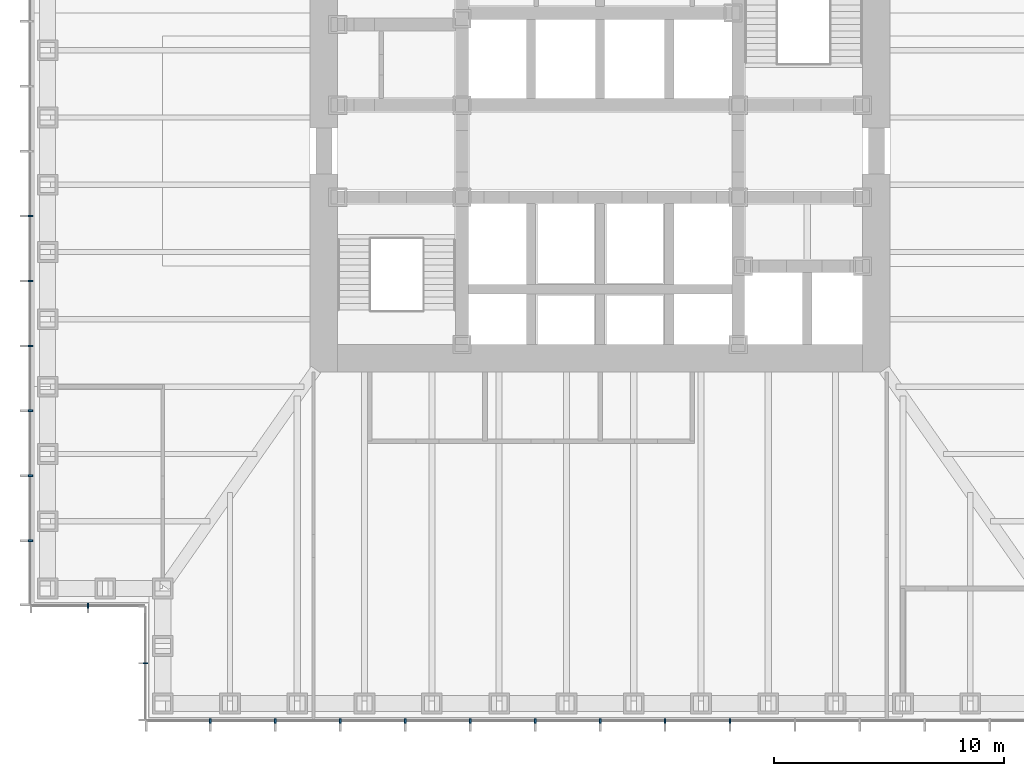
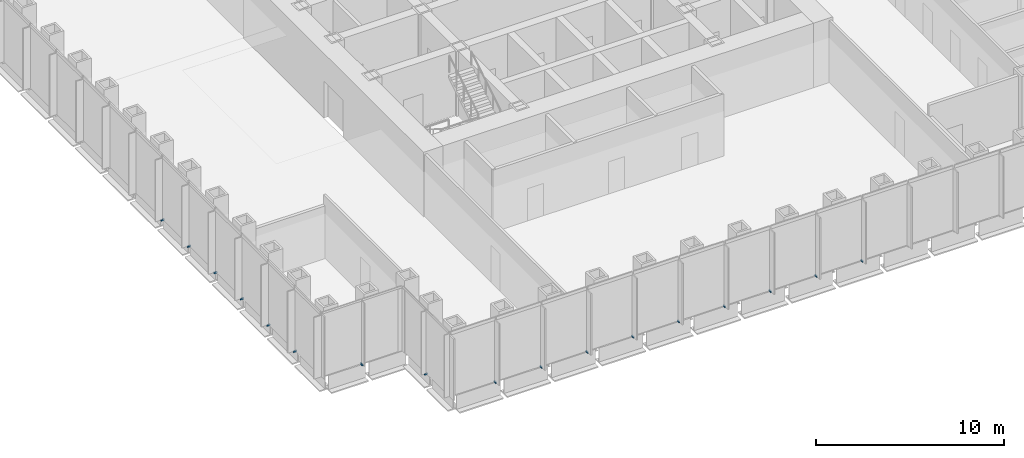
# One storey, part 11 of 16: 17 discrete accessories.
"""IFC4 building model written with IfcOpenShell, lengths in metres."""

from ifc_helpers import new_model, si_unit, direction, frame, origin, origin_2d, place, context, subcontext, project, spatial, rectangle, extrude, element, save


model = new_model("IFC4")

# Units and contexts
model_context = context("Model", 3, precision=1e-05, world=origin(), true_north=direction((0.0, 1.0)))
body_context = subcontext(model_context, "Body", "Model", "MODEL_VIEW")
ifc_project = project(units=[si_unit("LENGTHUNIT", "METRE"), si_unit("AREAUNIT", "SQUARE_METRE"), si_unit("VOLUMEUNIT", "CUBIC_METRE"), si_unit("PLANEANGLEUNIT", "RADIAN"), si_unit("MASSUNIT", "GRAM", prefix="KILO")], contexts=[model_context])

# Site, building, storey
site_placement = place(None, origin())
site = spatial("IfcSite", under=ifc_project, at=site_placement, CompositionType="ELEMENT")
building_placement = place(site_placement, origin())
building = spatial("IfcBuilding", under=site, at=building_placement, Name="Daluyong Arena Tower", CompositionType="ELEMENT")
storey_placement = place(building_placement, frame((0.0, 0.0, 76.89990234375)))
storey = spatial("IfcBuildingStorey", under=building, at=storey_placement, Name="L16", CompositionType="ELEMENT", Elevation=76.89990234375)

# Discrete accessories
for number, where, z_axis, x_axis, name in (
    (1, (39.071533203125, 55.25, -0.099853515625), (0.0, 0.0, 1.0), (1.0, 0.0, 0.0), "curtain wall L16 S anchor bracket 2"),
    (2, (41.892822265625, 55.25, -0.099853515625), (0.0, 0.0, 1.0), (1.0, 0.0, 0.0), "curtain wall L16 S anchor bracket 3"),
    (3, (44.71435546875, 55.25, -0.099853515625), (0.0, 0.0, 1.0), (1.0, 0.0, 0.0), "curtain wall L16 S anchor bracket 4"),
    (4, (47.53564453125, 55.25, -0.099853515625), (0.0, 0.0, 1.0), (1.0, 0.0, 0.0), "curtain wall L16 S anchor bracket 5"),
    (5, (50.357177734375, 55.25, -0.099853515625), (0.0, 0.0, 1.0), (1.0, 0.0, 0.0), "curtain wall L16 S anchor bracket 6"),
    (6, (53.178466796875, 55.25, -0.099853515625), (0.0, 0.0, 1.0), (1.0, 0.0, 0.0), "curtain wall L16 S anchor bracket 7"),
    (7, (56.0, 55.25, -0.099853515625), (0.0, 0.0, 1.0), (1.0, 0.0, 0.0), "curtain wall L16 S anchor bracket 8"),
    (8, (58.821533203125, 55.25, -0.099853515625), (0.0, 0.0, 1.0), (1.0, 0.0, 0.0), "curtain wall L16 S anchor bracket 9"),
    (9, (61.642822265625, 55.25, -0.099853515625), (0.0, 0.0, 1.0), (1.0, 0.0, 0.0), "curtain wall L16 S anchor bracket 10"),
    (10, (31.25, 77.178466796875, -0.099853515625), (0.0, 0.0, 1.0), (0.0, -1.0, 0.0), "curtain wall L16 W anchor bracket 9"),
    (11, (31.25, 74.357177734375, -0.099853515625), (0.0, 0.0, 1.0), (0.0, -1.0, 0.0), "curtain wall L16 W anchor bracket 10"),
    (12, (31.25, 71.53564453125, -0.099853515625), (0.0, 0.0, 1.0), (0.0, -1.0, 0.0), "curtain wall L16 W anchor bracket 11"),
    (13, (31.25, 68.71435546875, -0.099853515625), (0.0, 0.0, 1.0), (0.0, -1.0, 0.0), "curtain wall L16 W anchor bracket 12"),
    (14, (31.25, 65.892822265625, -0.099853515625), (0.0, 0.0, 1.0), (0.0, -1.0, 0.0), "curtain wall L16 W anchor bracket 13"),
    (15, (31.25, 63.071533203125, -0.099853515625), (0.0, 0.0, 1.0), (0.0, -1.0, 0.0), "curtain wall L16 W anchor bracket 14"),
):
    element("IfcDiscreteAccessory", number, at=place(storey_placement, frame(where, z_axis=z_axis, x_axis=x_axis)), inside=storey, Name=name, PredefinedType="BRACKET", context=body_context, shape_type="SweptSolid", body=[
        extrude(rectangle(XDim=0.080078125, YDim=0.199951171875, at=origin_2d()), origin(), (0.0, 0.0, 1.0), 0.10009765625),
    ])
for number, where, z_axis, x_axis, name in (
    (16, (33.75, 60.25, -0.099853515625), (0.0, 0.0, 1.0), (1.0, 0.0, 0.0), "curtain wall L16 SW-S anchor bracket 2"),
    (17, (36.25, 57.75, -0.099853515625), (0.0, 0.0, 1.0), (0.0, -1.0, 0.0), "curtain wall L16 SW-W anchor bracket 2"),
):
    element("IfcDiscreteAccessory", number, at=place(storey_placement, frame(where, z_axis=z_axis, x_axis=x_axis)), inside=storey, Name=name, PredefinedType="BRACKET", context=body_context, shape_type="SweptSolid", body=[
        extrude(rectangle(XDim=0.06005859375, YDim=0.199951171875, at=origin_2d()), origin(), (0.0, 0.0, 1.0), 0.10009765625),
    ])

save(model, "model.ifc")
